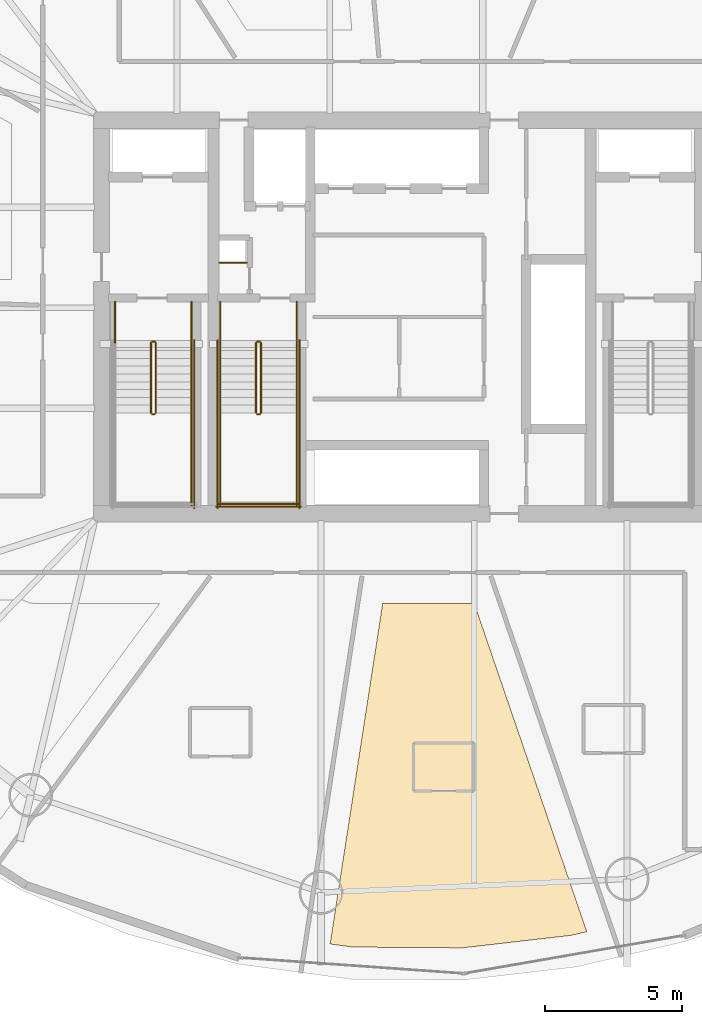
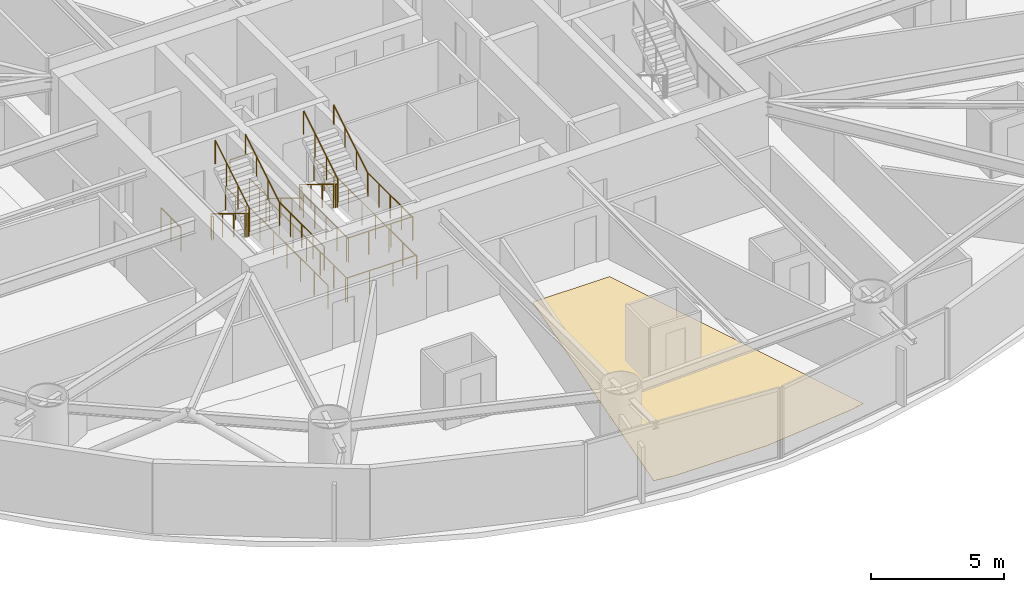
# One storey, part 25 of 27: 24 railings, 1 covering.
"""IFC4 building model written with IfcOpenShell, lengths in metres."""

import ifcopenshell
import ifcopenshell.guid

model = None  # the IFC model being written
_history = None  # IfcOwnerHistory: only IFC2X3 demands one
_inside = {}  # id of a spatial element -> (the spatial element, [elements in it])
_under = {}  # id of a project, library or spatial element -> (it, [spatial elements below it])
_declared = {}  # id of a project -> (the project, [libraries it declares])
_typed = {}  # id of a type object -> (the type object, [elements of that type])
_made_of = {}  # id of a material, layer set ... -> (it, [elements and type objects made of it])


def new_model(schema):
    """Start an empty IFC model of exactly this schema.

    Asked for "IFC4X3", IfcOpenShell would pick the latest addendum, in which some entities
    have other attributes; the version numbers below select the first issue.
    IFC2X3 requires an IfcOwnerHistory on every rooted entity: one is made here for all.
    """
    global model, _history
    if schema == "IFC4X3":
        model = ifcopenshell.file(schema_version=(4, 3, 0, 0))
    else:
        model = ifcopenshell.file(schema=schema)
    _inside.clear()
    _under.clear()
    _declared.clear()
    _typed.clear()
    _made_of.clear()
    _history = None
    if model.schema == "IFC2X3":
        org = make("IfcOrganization", Name="unknown")
        user = make(
            "IfcPersonAndOrganization",
            ThePerson=make("IfcPerson", FamilyName="unknown"),
            TheOrganization=org,
        )
        app = make(
            "IfcApplication",
            ApplicationDeveloper=org,
            Version="unknown",
            ApplicationFullName="unknown",
            ApplicationIdentifier="unknown",
        )
        _history = make(
            "IfcOwnerHistory",
            OwningUser=user,
            OwningApplication=app,
            ChangeAction="ADDED",
            CreationDate=0,
        )
    return model


def make(cls, **values):
    """One entity of the class cls with the attributes given. An attribute that is None is left unset."""
    return model.create_entity(
        cls, **{name: value for name, value in values.items() if value is not None}
    )


def rooted(cls, **values):
    """An entity with a GlobalId (a new one), such as an element, a storey or a relation."""
    return make(cls, GlobalId=ifcopenshell.guid.new(), OwnerHistory=_history, **values)


def si_unit(unit_type, name, prefix=None):
    """IfcSIUnit, for example si_unit("LENGTHUNIT", "METRE", prefix="MILLI")."""
    return make("IfcSIUnit", UnitType=unit_type, Prefix=prefix, Name=name)


def assignment(units):
    """IfcUnitAssignment: the units of a project."""
    return None if units is None else make("IfcUnitAssignment", Units=units)


def point(xyz):
    """IfcCartesianPoint."""
    return None if xyz is None else make("IfcCartesianPoint", Coordinates=xyz)


def direction(xyz):
    """IfcDirection."""
    return None if xyz is None else make("IfcDirection", DirectionRatios=xyz)


def frame(location, z_axis=None, x_axis=None):
    """IfcAxis2Placement3D, a coordinate frame: its origin and axes. An axis left out is left unset."""
    return make(
        "IfcAxis2Placement3D",
        Location=point(location),
        Axis=direction(z_axis),
        RefDirection=direction(x_axis),
    )


def frame_2d(location, x_axis=None):
    """IfcAxis2Placement2D, a coordinate frame in the plane: its origin and x axis."""
    return make(
        "IfcAxis2Placement2D", Location=point(location), RefDirection=direction(x_axis)
    )


def origin():
    """The frame at (0, 0, 0) with its axes left unset."""
    return frame((0.0, 0.0, 0.0))


def origin_2d():
    """The frame at (0, 0) in the plane with its x axis left unset."""
    return frame_2d((0.0, 0.0))


def place(relative_to, where):
    """IfcLocalPlacement: puts the frame where relative to a parent placement (None: the world)."""
    return make(
        "IfcLocalPlacement", PlacementRelTo=relative_to, RelativePlacement=where
    )


def context(
    kind, dimensions, precision=None, world=None, true_north=None, identifier=None
):
    """IfcGeometricRepresentationContext, for example the 3D "Model" context."""
    return make(
        "IfcGeometricRepresentationContext",
        ContextIdentifier=identifier,
        ContextType=kind,
        CoordinateSpaceDimension=dimensions,
        Precision=precision,
        WorldCoordinateSystem=world,
        TrueNorth=true_north,
    )


def subcontext(parent, identifier, kind, view, scale=None):
    """IfcGeometricRepresentationSubContext, for example "Body" below "Model"."""
    return make(
        "IfcGeometricRepresentationSubContext",
        ContextIdentifier=identifier,
        ContextType=kind,
        ParentContext=parent,
        TargetScale=scale,
        TargetView=view,
    )


def project(units=None, contexts=None):
    """IfcProject with its units and contexts."""
    return rooted(
        "IfcProject",
        Name="project",
        RepresentationContexts=contexts,
        UnitsInContext=assignment(units),
    )


def spatial(cls, under=None, at=None, **own):
    """A site, building, storey or space (cls), placed at a placement, below another one or the project."""
    s = rooted(cls, ObjectPlacement=at, **own)
    if under is not None:
        _under.setdefault(under.id(), (under, []))[1].append(s)
    return s


def polyline(points):
    """IfcPolyline through the points."""
    return make("IfcPolyline", Points=[point(p) for p in points])


def profile(cls, at=None, kind="AREA", **sizes):
    """A parametric profile (cls). Its sizes go by their IFC names, for example OverallWidth=200.0."""
    return make(cls, ProfileType=kind, Position=at, **sizes)


def circle(**sizes):
    """IfcCircleProfileDef."""
    return profile("IfcCircleProfileDef", **sizes)


def outline(outer, holes=None, kind="AREA"):
    """IfcArbitraryClosedProfileDef: a profile drawn as a closed curve; with holes, ...WithVoids."""
    if holes is None:
        return make("IfcArbitraryClosedProfileDef", ProfileType=kind, OuterCurve=outer)
    return make(
        "IfcArbitraryProfileDefWithVoids",
        ProfileType=kind,
        OuterCurve=outer,
        InnerCurves=holes,
    )


def extrude(swept, where, along, depth):
    """IfcExtrudedAreaSolid: the profile swept, set in the frame where, extruded along a direction by depth."""
    return make(
        "IfcExtrudedAreaSolid",
        SweptArea=swept,
        Position=where,
        ExtrudedDirection=direction(along),
        Depth=depth,
    )


def shape(context_of_items, identifier, shape_type, items):
    """IfcShapeRepresentation: the items that make up one representation, for example the "Body"."""
    return make(
        "IfcShapeRepresentation",
        ContextOfItems=context_of_items,
        RepresentationIdentifier=identifier,
        RepresentationType=shape_type,
        Items=items,
    )


def material(Name=None, Category=None):
    """IfcMaterial."""
    return make("IfcMaterial", Name=Name, Category=Category)


def layer(
    of_material, thickness, ventilated=None, Name=None, Category=None, Priority=None
):
    """IfcMaterialLayer: one layer of a wall or slab, of a material (None: an air gap)."""
    return make(
        "IfcMaterialLayer",
        Material=of_material,
        LayerThickness=thickness,
        IsVentilated=ventilated,
        Name=Name,
        Category=Category,
        Priority=Priority,
    )


def layer_set(layers, Name=None):
    """IfcMaterialLayerSet."""
    return make("IfcMaterialLayerSet", MaterialLayers=layers, LayerSetName=Name)


def made_of(thing, what):
    """Note that an element or type object is made of a material, layer set ...; save() writes the relation."""
    if what is not None:
        _made_of.setdefault(what.id(), (what, []))[1].append(thing)
    return thing


def type_object(cls, material=None, **own):
    """A type object (cls), such as IfcWallType, which elements share."""
    return made_of(rooted(cls, **own), material)


def element(
    cls,
    number,
    at=None,
    inside=None,
    cuts=None,
    type_object=None,
    material=None,
    context=None,
    identifier="Body",
    shape_type=None,
    held_by="IfcProductDefinitionShape",
    body=None,
    shapes=None,
    **own,
):
    """One element of the class cls, such as IfcWall. Its Tag is "e" and its number.

    at: its placement. inside: the storey or other place that contains it. cuts: it is an
    opening in that element (IfcRelVoidsElement). A single representation is given by context,
    identifier, shape_type and body (its items); several are given by shapes. held_by: the class
    of the entity that holds the representations. save() writes the other relations.
    """
    e = rooted(cls, Tag="e%d" % number, ObjectPlacement=at, **own)
    if body is not None:
        shapes = [shape(context, identifier, shape_type, body)]
    if shapes is not None:
        e.Representation = make(held_by, Representations=shapes)
    if inside is not None:
        _inside.setdefault(inside.id(), (inside, []))[1].append(e)
    if cuts is not None:
        rooted(
            "IfcRelVoidsElement", RelatingBuildingElement=cuts, RelatedOpeningElement=e
        )
    if type_object is not None:
        _typed.setdefault(type_object.id(), (type_object, []))[1].append(e)
    return made_of(e, material)


def aggregate(whole, parts):
    """IfcRelAggregates: a whole, such as a stair, and the parts it consists of."""
    return rooted("IfcRelAggregates", RelatingObject=whole, RelatedObjects=parts)


def save(model, path):
    """Write the relations noted so far, then the file.

    IfcRelAggregates (storeys below a building ...), IfcRelContainedInSpatialStructure (elements
    in a storey), IfcRelDefinesByType, IfcRelAssociatesMaterial and IfcRelDeclares: one each for
    every whole, place, type object, material and project.
    """
    for whole, parts in _under.values():
        aggregate(whole, parts)
    for where, things in _inside.values():
        rooted(
            "IfcRelContainedInSpatialStructure",
            RelatedElements=things,
            RelatingStructure=where,
        )
    for kind, things in _typed.values():
        rooted("IfcRelDefinesByType", RelatedObjects=things, RelatingType=kind)
    for what, things in _made_of.values():
        rooted("IfcRelAssociatesMaterial", RelatedObjects=things, RelatingMaterial=what)
    for by, libraries in _declared.values():
        rooted("IfcRelDeclares", RelatingContext=by, RelatedDefinitions=libraries)
    model.write(path)


model = new_model("IFC4")

# Units and contexts
model_context = context("Model", 3, precision=1e-05, world=origin(), true_north=direction((0.0, 1.0)))
body_context = subcontext(model_context, "Body", "Model", "MODEL_VIEW")
ifc_project = project(units=[si_unit("LENGTHUNIT", "METRE"), si_unit("AREAUNIT", "SQUARE_METRE"), si_unit("VOLUMEUNIT", "CUBIC_METRE"), si_unit("PLANEANGLEUNIT", "RADIAN"), si_unit("MASSUNIT", "GRAM", prefix="KILO")], contexts=[model_context])

# Site, building, storey
site_placement = place(None, origin())
site = spatial("IfcSite", under=ifc_project, at=site_placement, CompositionType="ELEMENT")
building_placement = place(site_placement, origin())
building = spatial("IfcBuilding", under=site, at=building_placement, Name="Bramvorn Convention Spire", CompositionType="ELEMENT")
storey_placement = place(building_placement, frame((0.0, 0.0, 79.89990234375)))
storey = spatial("IfcBuildingStorey", under=building, at=storey_placement, Name="L18", CompositionType="ELEMENT", Elevation=79.89990234375)

# Covering
ifc_material_1 = material(Name="Solution-Dyed Wool Broadloom Hospitality Carpet", Category="textile")
ifc_layer = layer(ifc_material_1, 0.014892578125)
ifc_layer_set = layer_set([ifc_layer], Name="Solution-Dyed Wool Broadloom Hospitality Carpet - FLR-CARPET-15")
covering_type = type_object("IfcCoveringType", Name="FLR-CARPET-15", PredefinedType="FLOORING", material=ifc_layer_set)
covering_placement = place(storey_placement, origin())
element("IfcCovering", 1, at=covering_placement, inside=storey, type_object=covering_type, Name="Hotel Suite 1810 wool broadloom carpet", PredefinedType="FLOORING", context=body_context, shape_type="SweptSolid", body=[
    extrude(outline(polyline([(44.191162109375, 3.36279296875), (44.763427734375, 3.49609375), (40.648193359375, 15.5), (37.291015625, 15.5), (35.369873046875, 3.04638671875), (36.206787109375, 2.933349609375), (40.216552734375, 2.905517578125), (44.191162109375, 3.36279296875)])), origin(), (0.0, 0.0, 1.0), 0.01513671875),
])

# Railings
ifc_material_2 = material(Name="Painted Steel Balustrade & Guardrail", Category="steel")
railing_type_1 = type_object("IfcRailingType", Name="RL-STAIR-GUARD-1100", PredefinedType="GUARDRAIL", material=ifc_material_2)
railing_1_placement = place(storey_placement, frame((28.81005859375, 25.050048828125, 0.175048828125)))
element("IfcRailing", 2, at=railing_1_placement, inside=storey, type_object=railing_type_1, Name="L18 ST1 stair guard 1", PredefinedType="GUARDRAIL", context=body_context, shape_type="SweptSolid", body=[
    extrude(circle(Radius=0.02392578125, at=origin_2d()), frame((0.0, 0.0, 1.076171875), z_axis=(0.0, -0.852173129349, 0.523259933127), x_axis=(1.0, 0.0, 0.0)), (0.0, 0.0, 1.0), 3.009765625),
    extrude(circle(Radius=0.02099609375, at=origin_2d()), origin(), (0.0, 0.0, 1.0), 1.052001953125),
    extrude(circle(Radius=0.02099609375, at=origin_2d()), frame((0.0, -0.85498046875, 0.52490234375)), (0.0, 0.0, 1.0), 1.052001953125),
    extrude(circle(Radius=0.02099609375, at=origin_2d()), frame((0.0, -1.7099609375, 1.050048828125)), (0.0, 0.0, 1.0), 1.052001953125),
    extrude(circle(Radius=0.02099609375, at=origin_2d()), frame((0.0, -2.56494140625, 1.574951171875)), (0.0, 0.0, 1.0), 1.052001953125),
])
railing_2_placement = place(storey_placement, frame((28.860107421875, 22.43505859375, 1.75)))
element("IfcRailing", 3, at=railing_2_placement, inside=storey, type_object=railing_type_1, Name="L18 ST1 stair guard 2", PredefinedType="GUARDRAIL", context=body_context, shape_type="SweptSolid", body=[
    extrude(circle(Radius=0.02392578125, at=origin_2d()), frame((0.0, 0.0, 1.076171875), z_axis=(1.0, 0.0, 0.0), x_axis=(0.0, 1.0, 0.0)), (0.0, 0.0, 1.0), 0.079833984375),
    extrude(circle(Radius=0.02099609375, at=origin_2d()), origin(), (0.0, 0.0, 1.0), 1.052001953125),
    extrude(circle(Radius=0.02099609375, at=origin_2d()), frame((0.079833984375, 0.0, 0.0)), (0.0, 0.0, 1.0), 1.052001953125),
])
railing_3_placement = place(storey_placement, frame((30.300048828125, 22.485107421875, 1.75)))
element("IfcRailing", 4, at=railing_3_placement, inside=storey, type_object=railing_type_1, Name="L18 ST1 stair guard 4", PredefinedType="GUARDRAIL", context=body_context, shape_type="SweptSolid", body=[
    extrude(circle(Radius=0.02392578125, at=origin_2d()), frame((0.0, 0.0, 1.076171875), z_axis=(0.0, -1.0, 0.0), x_axis=(1.0, 0.0, 0.0)), (0.0, 0.0, 1.0), 3.385009765625),
    extrude(circle(Radius=0.02099609375, at=origin_2d()), origin(), (0.0, 0.0, 1.0), 1.052001953125),
    extrude(circle(Radius=0.02099609375, at=origin_2d()), frame((0.0, -0.84619140625, 0.0)), (0.0, 0.0, 1.0), 1.052001953125),
    extrude(circle(Radius=0.02099609375, at=origin_2d()), frame((0.0, -1.6923828125, 0.0)), (0.0, 0.0, 1.0), 1.052001953125),
    extrude(circle(Radius=0.02099609375, at=origin_2d()), frame((0.0, -2.538818359375, 0.0)), (0.0, 0.0, 1.0), 1.052001953125),
    extrude(circle(Radius=0.02099609375, at=origin_2d()), frame((0.0, -3.385009765625, 0.0)), (0.0, 0.0, 1.0), 1.052001953125),
])
railing_4_placement = place(storey_placement, frame((28.989990234375, 22.485107421875, 1.925048828125)))
element("IfcRailing", 5, at=railing_4_placement, inside=storey, type_object=railing_type_1, Name="L18 ST1 stair guard 6", PredefinedType="GUARDRAIL", context=body_context, shape_type="SweptSolid", body=[
    extrude(circle(Radius=0.02392578125, at=origin_2d()), frame((0.0, 0.0, 1.076171875), z_axis=(0.0, 0.852173129349, 0.523259933127), x_axis=(-1.0, 0.0, 0.0)), (0.0, 0.0, 1.0), 3.009765625),
    extrude(circle(Radius=0.02099609375, at=origin_2d()), origin(), (0.0, 0.0, 1.0), 1.052001953125),
    extrude(circle(Radius=0.02099609375, at=origin_2d()), frame((0.0, 0.85498046875, 0.52490234375)), (0.0, 0.0, 1.0), 1.052001953125),
    extrude(circle(Radius=0.02099609375, at=origin_2d()), frame((0.0, 1.7099609375, 1.050048828125)), (0.0, 0.0, 1.0), 1.052001953125),
    extrude(circle(Radius=0.02099609375, at=origin_2d()), frame((0.0, 2.56494140625, 1.574951171875)), (0.0, 0.0, 1.0), 1.052001953125),
])
railing_5_placement = place(storey_placement, frame((28.860107421875, 25.10009765625, 0.0)))
element("IfcRailing", 6, at=railing_5_placement, inside=storey, type_object=railing_type_1, Name="L18 ST1 stair guard 7", PredefinedType="GUARDRAIL", context=body_context, shape_type="SweptSolid", body=[
    extrude(circle(Radius=0.02392578125, at=origin_2d()), frame((0.0, 0.0, 1.076171875), z_axis=(1.0, 0.0, 0.0), x_axis=(0.0, 1.0, 0.0)), (0.0, 0.0, 1.0), 0.079833984375),
    extrude(circle(Radius=0.02099609375, at=origin_2d()), origin(), (0.0, 0.0, 1.0), 1.052001953125),
    extrude(circle(Radius=0.02099609375, at=origin_2d()), frame((0.079833984375, 0.0, 0.0)), (0.0, 0.0, 1.0), 1.052001953125),
])
for number, where, name in (
    (7, (27.5, 26.550048828125, 0.0), "L18 ST1 stair guard 8"),
    (8, (30.300048828125, 26.550048828125, 0.0), "L18 ST1 stair guard 9"),
):
    element("IfcRailing", number, at=place(storey_placement, frame(where)), inside=storey, type_object=railing_type_1, Name=name, PredefinedType="GUARDRAIL", context=body_context, shape_type="SweptSolid", body=[
        extrude(circle(Radius=0.02392578125, at=origin_2d()), frame((0.0, 0.0, 1.076171875), z_axis=(0.0, -1.0, 0.0), x_axis=(1.0, 0.0, 0.0)), (0.0, 0.0, 1.0), 1.5),
        extrude(circle(Radius=0.02099609375, at=origin_2d()), origin(), (0.0, 0.0, 1.0), 1.052001953125),
        extrude(circle(Radius=0.02099609375, at=origin_2d()), frame((0.0, -0.75, 0.0)), (0.0, 0.0, 1.0), 1.052001953125),
        extrude(circle(Radius=0.02099609375, at=origin_2d()), frame((0.0, -1.5, 0.0)), (0.0, 0.0, 1.0), 1.052001953125),
    ])
railing_6_placement = place(storey_placement, frame((30.39990234375, 25.14990234375, 0.0)))
element("IfcRailing", 9, at=railing_6_placement, inside=storey, type_object=railing_type_1, Name="L18 ST1 stair guard 11", PredefinedType="GUARDRAIL", context=body_context, shape_type="SweptSolid", body=[
    extrude(circle(Radius=0.02392578125, at=origin_2d()), frame((0.0, 0.0, 1.076171875), z_axis=(0.0, -1.0, 0.0), x_axis=(1.0, 0.0, 0.0)), (0.0, 0.0, 1.0), 6.14990234375),
    extrude(circle(Radius=0.02099609375, at=origin_2d()), origin(), (0.0, 0.0, 1.0), 1.052001953125),
    extrude(circle(Radius=0.02099609375, at=origin_2d()), frame((0.0, -1.02490234375, 0.0)), (0.0, 0.0, 1.0), 1.052001953125),
    extrude(circle(Radius=0.02099609375, at=origin_2d()), frame((0.0, -2.050048828125, 0.0)), (0.0, 0.0, 1.0), 1.052001953125),
    extrude(circle(Radius=0.02099609375, at=origin_2d()), frame((0.0, -3.074951171875, 0.0)), (0.0, 0.0, 1.0), 1.052001953125),
    extrude(circle(Radius=0.02099609375, at=origin_2d()), frame((0.0, -4.099853515625, 0.0)), (0.0, 0.0, 1.0), 1.052001953125),
    extrude(circle(Radius=0.02099609375, at=origin_2d()), frame((0.0, -5.125, 0.0)), (0.0, 0.0, 1.0), 1.052001953125),
    extrude(circle(Radius=0.02099609375, at=origin_2d()), frame((0.0, -6.14990234375, 0.0)), (0.0, 0.0, 1.0), 1.052001953125),
])
railing_7_placement = place(storey_placement, frame((32.659912109375, 25.050048828125, 0.175048828125)))
element("IfcRailing", 10, at=railing_7_placement, inside=storey, type_object=railing_type_1, Name="L18 ST3 stair guard 1", PredefinedType="GUARDRAIL", context=body_context, shape_type="SweptSolid", body=[
    extrude(circle(Radius=0.02392578125, at=origin_2d()), frame((0.0, 0.0, 1.076171875), z_axis=(0.0, -0.852173129349, 0.523259933127), x_axis=(1.0, 0.0, 0.0)), (0.0, 0.0, 1.0), 3.009765625),
    extrude(circle(Radius=0.02099609375, at=origin_2d()), origin(), (0.0, 0.0, 1.0), 1.052001953125),
    extrude(circle(Radius=0.02099609375, at=origin_2d()), frame((0.0, -0.85498046875, 0.52490234375)), (0.0, 0.0, 1.0), 1.052001953125),
    extrude(circle(Radius=0.02099609375, at=origin_2d()), frame((0.0, -1.7099609375, 1.050048828125)), (0.0, 0.0, 1.0), 1.052001953125),
    extrude(circle(Radius=0.02099609375, at=origin_2d()), frame((0.0, -2.56494140625, 1.574951171875)), (0.0, 0.0, 1.0), 1.052001953125),
])
railing_8_placement = place(storey_placement, frame((32.7099609375, 22.43505859375, 1.75)))
element("IfcRailing", 11, at=railing_8_placement, inside=storey, type_object=railing_type_1, Name="L18 ST3 stair guard 2", PredefinedType="GUARDRAIL", context=body_context, shape_type="SweptSolid", body=[
    extrude(circle(Radius=0.02392578125, at=origin_2d()), frame((0.0, 0.0, 1.076171875), z_axis=(1.0, 0.0, 0.0), x_axis=(0.0, 1.0, 0.0)), (0.0, 0.0, 1.0), 0.080078125),
    extrude(circle(Radius=0.02099609375, at=origin_2d()), origin(), (0.0, 0.0, 1.0), 1.052001953125),
    extrude(circle(Radius=0.02099609375, at=origin_2d()), frame((0.080078125, 0.0, 0.0)), (0.0, 0.0, 1.0), 1.052001953125),
])
for number, where, name in (
    (12, (31.35009765625, 22.485107421875, 1.75), "L18 ST3 stair guard 3"),
    (13, (34.14990234375, 22.485107421875, 1.75), "L18 ST3 stair guard 4"),
):
    element("IfcRailing", number, at=place(storey_placement, frame(where)), inside=storey, type_object=railing_type_1, Name=name, PredefinedType="GUARDRAIL", context=body_context, shape_type="SweptSolid", body=[
        extrude(circle(Radius=0.02392578125, at=origin_2d()), frame((0.0, 0.0, 1.076171875), z_axis=(0.0, -1.0, 0.0), x_axis=(1.0, 0.0, 0.0)), (0.0, 0.0, 1.0), 3.385009765625),
        extrude(circle(Radius=0.02099609375, at=origin_2d()), origin(), (0.0, 0.0, 1.0), 1.052001953125),
        extrude(circle(Radius=0.02099609375, at=origin_2d()), frame((0.0, -0.84619140625, 0.0)), (0.0, 0.0, 1.0), 1.052001953125),
        extrude(circle(Radius=0.02099609375, at=origin_2d()), frame((0.0, -1.6923828125, 0.0)), (0.0, 0.0, 1.0), 1.052001953125),
        extrude(circle(Radius=0.02099609375, at=origin_2d()), frame((0.0, -2.538818359375, 0.0)), (0.0, 0.0, 1.0), 1.052001953125),
        extrude(circle(Radius=0.02099609375, at=origin_2d()), frame((0.0, -3.385009765625, 0.0)), (0.0, 0.0, 1.0), 1.052001953125),
    ])
railing_9_placement = place(storey_placement, frame((31.300048828125, 19.14990234375, 1.75)))
element("IfcRailing", 14, at=railing_9_placement, inside=storey, type_object=railing_type_1, Name="L18 ST3 stair guard 5", PredefinedType="GUARDRAIL", context=body_context, shape_type="SweptSolid", body=[
    extrude(circle(Radius=0.02392578125, at=origin_2d()), frame((0.0, 0.0, 1.076171875), z_axis=(1.0, 0.0, 0.0), x_axis=(0.0, 1.0, 0.0)), (0.0, 0.0, 1.0), 2.89990234375),
    extrude(circle(Radius=0.02099609375, at=origin_2d()), origin(), (0.0, 0.0, 1.0), 1.052001953125),
    extrude(circle(Radius=0.02099609375, at=origin_2d()), frame((0.966552734375, 0.0, 0.0)), (0.0, 0.0, 1.0), 1.052001953125),
    extrude(circle(Radius=0.02099609375, at=origin_2d()), frame((1.933349609375, 0.0, 0.0)), (0.0, 0.0, 1.0), 1.052001953125),
    extrude(circle(Radius=0.02099609375, at=origin_2d()), frame((2.89990234375, 0.0, 0.0)), (0.0, 0.0, 1.0), 1.052001953125),
])
railing_10_placement = place(storey_placement, frame((32.840087890625, 22.485107421875, 1.925048828125)))
element("IfcRailing", 15, at=railing_10_placement, inside=storey, type_object=railing_type_1, Name="L18 ST3 stair guard 6", PredefinedType="GUARDRAIL", context=body_context, shape_type="SweptSolid", body=[
    extrude(circle(Radius=0.02392578125, at=origin_2d()), frame((0.0, 0.0, 1.076171875), z_axis=(0.0, 0.852173129349, 0.523259933127), x_axis=(-1.0, 0.0, 0.0)), (0.0, 0.0, 1.0), 3.009765625),
    extrude(circle(Radius=0.02099609375, at=origin_2d()), origin(), (0.0, 0.0, 1.0), 1.052001953125),
    extrude(circle(Radius=0.02099609375, at=origin_2d()), frame((0.0, 0.85498046875, 0.52490234375)), (0.0, 0.0, 1.0), 1.052001953125),
    extrude(circle(Radius=0.02099609375, at=origin_2d()), frame((0.0, 1.7099609375, 1.050048828125)), (0.0, 0.0, 1.0), 1.052001953125),
    extrude(circle(Radius=0.02099609375, at=origin_2d()), frame((0.0, 2.56494140625, 1.574951171875)), (0.0, 0.0, 1.0), 1.052001953125),
])
railing_11_placement = place(storey_placement, frame((32.7099609375, 25.10009765625, 0.0)))
element("IfcRailing", 16, at=railing_11_placement, inside=storey, type_object=railing_type_1, Name="L18 ST3 stair guard 7", PredefinedType="GUARDRAIL", context=body_context, shape_type="SweptSolid", body=[
    extrude(circle(Radius=0.02392578125, at=origin_2d()), frame((0.0, 0.0, 1.076171875), z_axis=(1.0, 0.0, 0.0), x_axis=(0.0, 1.0, 0.0)), (0.0, 0.0, 1.0), 0.080078125),
    extrude(circle(Radius=0.02099609375, at=origin_2d()), origin(), (0.0, 0.0, 1.0), 1.052001953125),
    extrude(circle(Radius=0.02099609375, at=origin_2d()), frame((0.080078125, 0.0, 0.0)), (0.0, 0.0, 1.0), 1.052001953125),
])
for number, where, name in (
    (17, (31.35009765625, 26.550048828125, 0.0), "L18 ST3 stair guard 8"),
    (18, (34.14990234375, 26.550048828125, 0.0), "L18 ST3 stair guard 9"),
):
    element("IfcRailing", number, at=place(storey_placement, frame(where)), inside=storey, type_object=railing_type_1, Name=name, PredefinedType="GUARDRAIL", context=body_context, shape_type="SweptSolid", body=[
        extrude(circle(Radius=0.02392578125, at=origin_2d()), frame((0.0, 0.0, 1.076171875), z_axis=(0.0, -1.0, 0.0), x_axis=(1.0, 0.0, 0.0)), (0.0, 0.0, 1.0), 1.5),
        extrude(circle(Radius=0.02099609375, at=origin_2d()), origin(), (0.0, 0.0, 1.0), 1.052001953125),
        extrude(circle(Radius=0.02099609375, at=origin_2d()), frame((0.0, -0.75, 0.0)), (0.0, 0.0, 1.0), 1.052001953125),
        extrude(circle(Radius=0.02099609375, at=origin_2d()), frame((0.0, -1.5, 0.0)), (0.0, 0.0, 1.0), 1.052001953125),
    ])
for number, where, name in (
    (19, (31.25, 25.14990234375, 0.0), "L18 ST3 stair guard 10"),
    (20, (34.25, 25.14990234375, 0.0), "L18 ST3 stair guard 11"),
):
    element("IfcRailing", number, at=place(storey_placement, frame(where)), inside=storey, type_object=railing_type_1, Name=name, PredefinedType="GUARDRAIL", context=body_context, shape_type="SweptSolid", body=[
        extrude(circle(Radius=0.02392578125, at=origin_2d()), frame((0.0, 0.0, 1.076171875), z_axis=(0.0, -1.0, 0.0), x_axis=(1.0, 0.0, 0.0)), (0.0, 0.0, 1.0), 6.14990234375),
        extrude(circle(Radius=0.02099609375, at=origin_2d()), origin(), (0.0, 0.0, 1.0), 1.052001953125),
        extrude(circle(Radius=0.02099609375, at=origin_2d()), frame((0.0, -1.02490234375, 0.0)), (0.0, 0.0, 1.0), 1.052001953125),
        extrude(circle(Radius=0.02099609375, at=origin_2d()), frame((0.0, -2.050048828125, 0.0)), (0.0, 0.0, 1.0), 1.052001953125),
        extrude(circle(Radius=0.02099609375, at=origin_2d()), frame((0.0, -3.074951171875, 0.0)), (0.0, 0.0, 1.0), 1.052001953125),
        extrude(circle(Radius=0.02099609375, at=origin_2d()), frame((0.0, -4.099853515625, 0.0)), (0.0, 0.0, 1.0), 1.052001953125),
        extrude(circle(Radius=0.02099609375, at=origin_2d()), frame((0.0, -5.125, 0.0)), (0.0, 0.0, 1.0), 1.052001953125),
        extrude(circle(Radius=0.02099609375, at=origin_2d()), frame((0.0, -6.14990234375, 0.0)), (0.0, 0.0, 1.0), 1.052001953125),
    ])
railing_12_placement = place(storey_placement, frame((31.199951171875, 19.050048828125, 0.0)))
element("IfcRailing", 21, at=railing_12_placement, inside=storey, type_object=railing_type_1, Name="L18 ST3 stair guard 12", PredefinedType="GUARDRAIL", context=body_context, shape_type="SweptSolid", body=[
    extrude(circle(Radius=0.02392578125, at=origin_2d()), frame((0.0, 0.0, 1.076171875), z_axis=(1.0, 0.0, 0.0), x_axis=(0.0, 1.0, 0.0)), (0.0, 0.0, 1.0), 3.10009765625),
    extrude(circle(Radius=0.02099609375, at=origin_2d()), origin(), (0.0, 0.0, 1.0), 1.052001953125),
    extrude(circle(Radius=0.02099609375, at=origin_2d()), frame((1.033447265625, 0.0, 0.0)), (0.0, 0.0, 1.0), 1.052001953125),
    extrude(circle(Radius=0.02099609375, at=origin_2d()), frame((2.066650390625, 0.0, 0.0)), (0.0, 0.0, 1.0), 1.052001953125),
    extrude(circle(Radius=0.02099609375, at=origin_2d()), frame((3.10009765625, 0.0, 0.0)), (0.0, 0.0, 1.0), 1.052001953125),
])
railing_13_placement = place(storey_placement, frame((31.320068359375, 27.97998046875, 0.0)))
element("IfcRailing", 22, at=railing_13_placement, inside=storey, type_object=railing_type_1, Name="L18 Telecom riser shaft opening safety guardrail", PredefinedType="GUARDRAIL", context=body_context, shape_type="SweptSolid", body=[
    extrude(circle(Radius=0.02392578125, at=origin_2d()), frame((0.0, 0.0, 1.076171875), z_axis=(1.0, 0.0, 0.0), x_axis=(0.0, 1.0, 0.0)), (0.0, 0.0, 1.0), 1.0),
    extrude(circle(Radius=0.02099609375, at=origin_2d()), origin(), (0.0, 0.0, 1.0), 1.052001953125),
    extrude(circle(Radius=0.02099609375, at=origin_2d()), frame((1.0, 0.0, 0.0)), (0.0, 0.0, 1.0), 1.052001953125),
])
ifc_material_3 = material(Name="Brushed Bronze Tubular Handrail", Category="aluminium")
railing_type_2 = type_object("IfcRailingType", Name="RL-STAIR-HR-920", PredefinedType="HANDRAIL", material=ifc_material_3)
railing_14_placement = place(storey_placement, frame((30.300048828125, 22.485107421875, 1.925048828125)))
element("IfcRailing", 23, at=railing_14_placement, inside=storey, type_object=railing_type_2, Name="L18 ST1 stair handrail 2", PredefinedType="HANDRAIL", context=body_context, shape_type="SweptSolid", body=[
    extrude(circle(Radius=0.02392578125, at=origin_2d()), frame((0.0, 0.0, 0.89599609375), z_axis=(0.0, 0.852173129349, 0.523259933127), x_axis=(-1.0, 0.0, 0.0)), (0.0, 0.0, 1.0), 3.009765625),
    extrude(circle(Radius=0.02099609375, at=origin_2d()), origin(), (0.0, 0.0, 1.0), 0.871826171875),
    extrude(circle(Radius=0.02099609375, at=origin_2d()), frame((0.0, 0.85498046875, 0.52490234375)), (0.0, 0.0, 1.0), 0.871826171875),
    extrude(circle(Radius=0.02099609375, at=origin_2d()), frame((0.0, 1.7099609375, 1.050048828125)), (0.0, 0.0, 1.0), 0.871826171875),
    extrude(circle(Radius=0.02099609375, at=origin_2d()), frame((0.0, 2.56494140625, 1.574951171875)), (0.0, 0.0, 1.0), 0.871826171875),
])
railing_15_placement = place(storey_placement, frame((31.35009765625, 25.050048828125, 0.175048828125)))
element("IfcRailing", 24, at=railing_15_placement, inside=storey, type_object=railing_type_2, Name="L18 ST3 stair handrail 1", PredefinedType="HANDRAIL", context=body_context, shape_type="SweptSolid", body=[
    extrude(circle(Radius=0.02392578125, at=origin_2d()), frame((0.0, 0.0, 0.89599609375), z_axis=(0.0, -0.852173129349, 0.523259933127), x_axis=(1.0, 0.0, 0.0)), (0.0, 0.0, 1.0), 3.009765625),
    extrude(circle(Radius=0.02099609375, at=origin_2d()), origin(), (0.0, 0.0, 1.0), 0.871826171875),
    extrude(circle(Radius=0.02099609375, at=origin_2d()), frame((0.0, -0.85498046875, 0.52490234375)), (0.0, 0.0, 1.0), 0.871826171875),
    extrude(circle(Radius=0.02099609375, at=origin_2d()), frame((0.0, -1.7099609375, 1.050048828125)), (0.0, 0.0, 1.0), 0.871826171875),
    extrude(circle(Radius=0.02099609375, at=origin_2d()), frame((0.0, -2.56494140625, 1.574951171875)), (0.0, 0.0, 1.0), 0.871826171875),
])
railing_16_placement = place(storey_placement, frame((34.14990234375, 22.485107421875, 1.925048828125)))
element("IfcRailing", 25, at=railing_16_placement, inside=storey, type_object=railing_type_2, Name="L18 ST3 stair handrail 2", PredefinedType="HANDRAIL", context=body_context, shape_type="SweptSolid", body=[
    extrude(circle(Radius=0.02392578125, at=origin_2d()), frame((0.0, 0.0, 0.89599609375), z_axis=(0.0, 0.852173129349, 0.523259933127), x_axis=(-1.0, 0.0, 0.0)), (0.0, 0.0, 1.0), 3.009765625),
    extrude(circle(Radius=0.02099609375, at=origin_2d()), origin(), (0.0, 0.0, 1.0), 0.871826171875),
    extrude(circle(Radius=0.02099609375, at=origin_2d()), frame((0.0, 0.85498046875, 0.52490234375)), (0.0, 0.0, 1.0), 0.871826171875),
    extrude(circle(Radius=0.02099609375, at=origin_2d()), frame((0.0, 1.7099609375, 1.050048828125)), (0.0, 0.0, 1.0), 0.871826171875),
    extrude(circle(Radius=0.02099609375, at=origin_2d()), frame((0.0, 2.56494140625, 1.574951171875)), (0.0, 0.0, 1.0), 0.871826171875),
])

save(model, "model.ifc")
